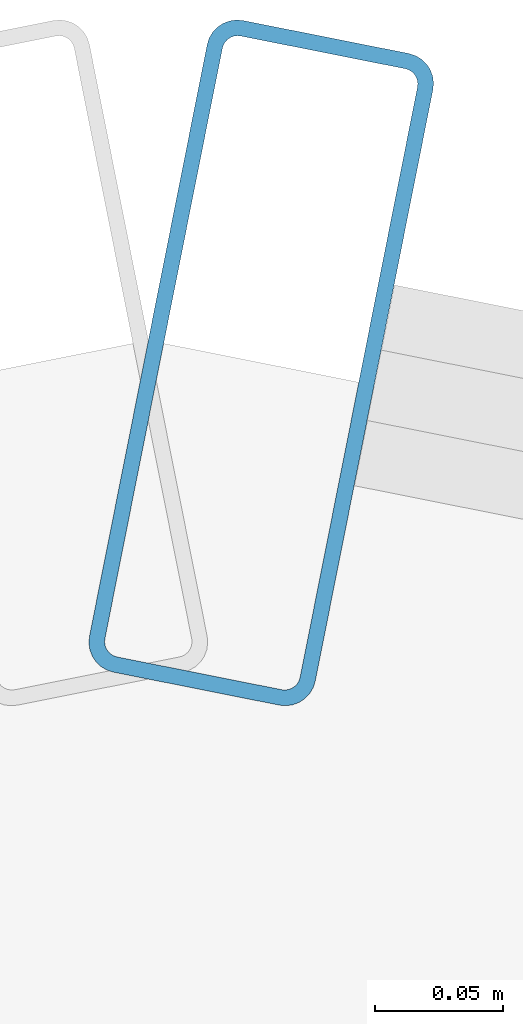
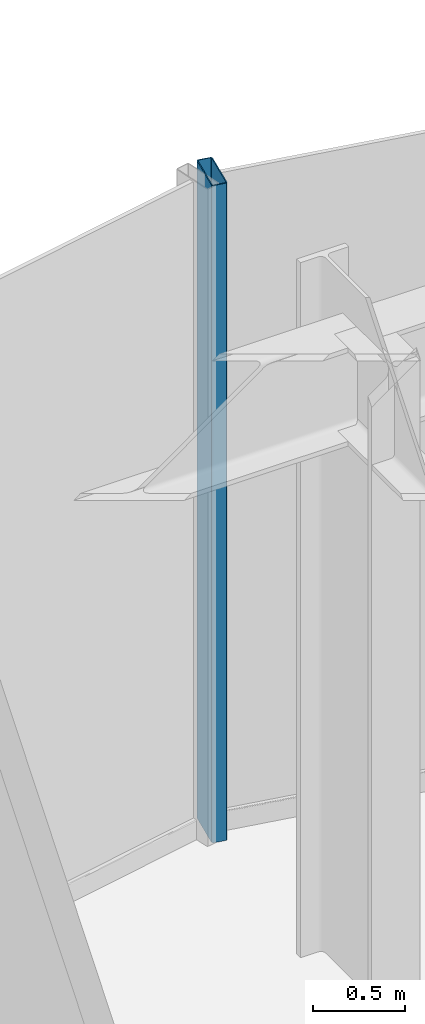
# One storey, part 17 of 26: 1 member, 1 element without a shape of its own.
"""IFC4 building model written with IfcOpenShell, lengths in metres."""

from ifc_helpers import new_model, si_unit, direction, frame, origin, origin_2d, place, context, subcontext, project, spatial, hollow_rectangle, extrude, source, transform, mapped, material, layer, layer_set, material_profile, profile_set, type_object, element, aggregate, save


model = new_model("IFC4")

# Units and contexts
model_context = context("Model", 3, precision=1e-05, world=origin(), true_north=direction((0.0, 1.0)))
body_context = subcontext(model_context, "Body", "Model", "MODEL_VIEW")
ifc_project = project(units=[si_unit("LENGTHUNIT", "METRE"), si_unit("AREAUNIT", "SQUARE_METRE"), si_unit("VOLUMEUNIT", "CUBIC_METRE"), si_unit("PLANEANGLEUNIT", "RADIAN"), si_unit("MASSUNIT", "GRAM", prefix="KILO")], contexts=[model_context])

# Site, building, storey
site_placement = place(None, origin())
site = spatial("IfcSite", under=ifc_project, at=site_placement, CompositionType="ELEMENT")
building_placement = place(site_placement, origin())
building = spatial("IfcBuilding", under=site, at=building_placement, Name="Nefas-Gora Pilgrimage Tower", CompositionType="ELEMENT")
storey_placement = place(building_placement, frame((0.0, 0.0, 202.0)))
storey = spatial("IfcBuildingStorey", under=building, at=storey_placement, Name="L50", CompositionType="ELEMENT", Elevation=202.0)

# Curtain wall, member
ifc_material_1 = material(Name="Dark ceramic-fritted solar-control aluminium-glass curtain wall", Category="aluminium")
ifc_layer = layer(ifc_material_1, 0.219970703125)
ifc_layer_set = layer_set([ifc_layer], Name="Dark ceramic-fritted solar-control aluminium-glass curtain wall")
curtain_wall_type = type_object("IfcCurtainWallType", Name="CW-SYS-5", PredefinedType="NOTDEFINED", material=ifc_layer_set)
curtain_wall_placement = place(storey_placement, origin())
curtain_wall = element("IfcCurtainWall", 1, at=curtain_wall_placement, inside=storey, type_object=curtain_wall_type, Name="L50 Unitised Curtain Wall CW5", PredefinedType="NOTDEFINED")
ifc_material_2 = material(Name="Anodised architectural aluminium", Category="aluminium")
ifc_material_profile = material_profile(ifc_material_2, hollow_rectangle(XDim=0.090087890625, YDim=0.260009765625, WallThickness=0.006103515625, InnerFilletRadius=0.006103515625, OuterFilletRadius=0.011962890625, at=origin_2d()), Name="ALU MULLION 90x260")
ifc_profile_set = profile_set([ifc_material_profile], Name="Anodised architectural aluminium")
member_type = type_object("IfcMemberType", Name="CWM-MUL-5", PredefinedType="MULLION", material=ifc_profile_set)
shared_shape = source(origin(), body_context, "Body", "SweptSolid", [
    extrude(hollow_rectangle(XDim=0.090087890625, YDim=0.260009765625, WallThickness=0.006103515625, InnerFilletRadius=0.006103515625, OuterFilletRadius=0.011962890625, at=origin_2d()), origin(), (0.0, 0.0, 1.0), 4.35009765625),
])
member_placement = place(storey_placement, frame((-2.205810546875, 24.16357421875, 0.0), z_axis=(0.0, 0.0, 1.0), x_axis=(-0.980782896852, 0.195102304554, 0.0)))
member = element("IfcMember", 2, at=member_placement, type_object=member_type, Name="CW5 Mullion 2", PredefinedType="MULLION", context=body_context, shape_type="MappedRepresentation", body=[
    mapped(shared_shape, transform((0.0, 0.0, 0.0), x_axis=(1.0, 0.0, 0.0), y_axis=(0.0, 1.0, 0.0), z_axis=(0.0, 0.0, 1.0), scale=1.0)),
])
aggregate(curtain_wall, [member])

save(model, "model.ifc")
